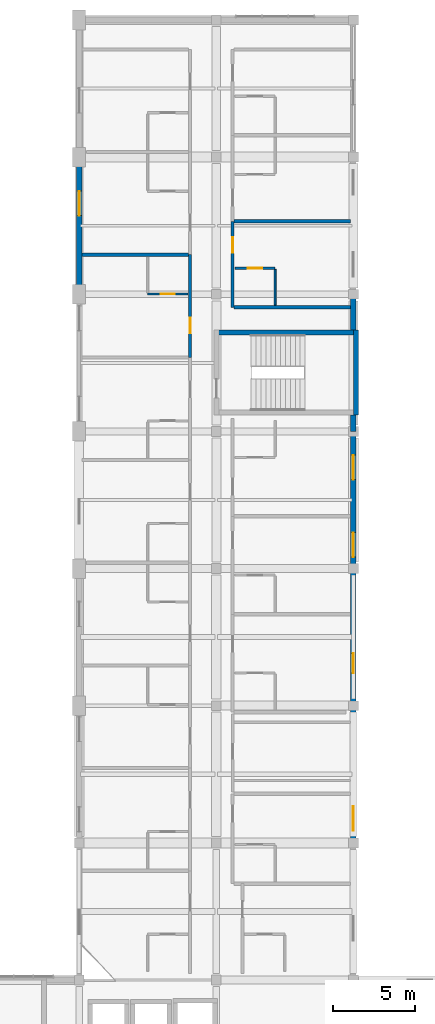
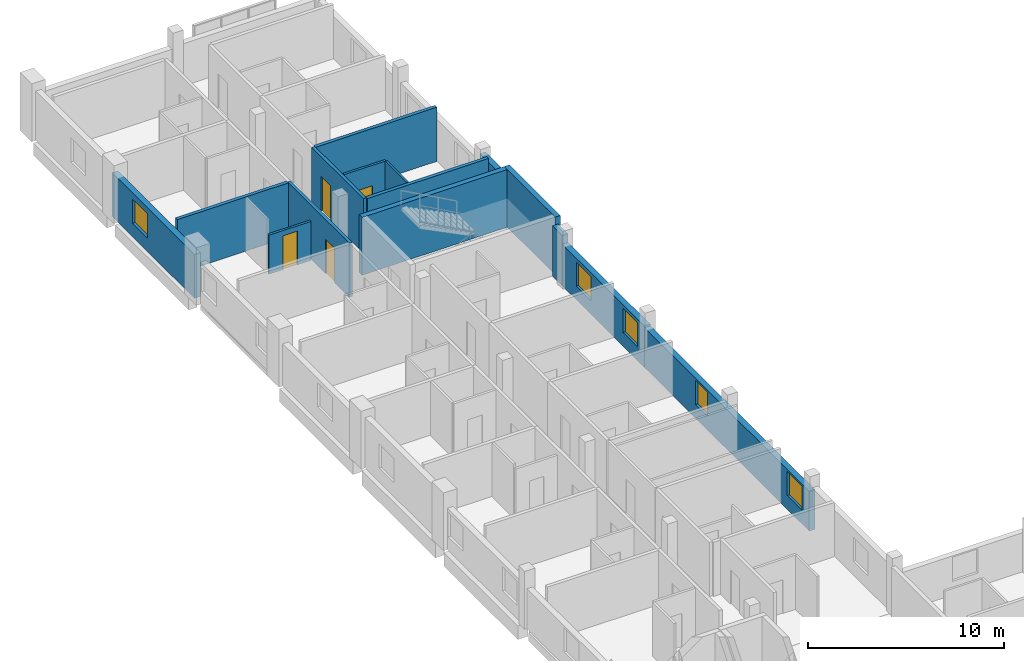
# One storey, part 16 of 25: 15 walls, 5 windows, 4 doors, 9 openings.
"""IFC4 building model written with IfcOpenShell, lengths in metres."""

from ifc_helpers import new_model, si_unit, derived_unit, direction, frame, frame_2d, origin, place, context, subcontext, project, spatial, rectangle, extrude, material, layer, layer_set, type_object, element, fill, save


model = new_model("IFC4")

# Units and contexts
model_context = context("Model", 3, precision=1e-05, world=origin(), true_north=direction((0.0, 1.0)))
body_context = subcontext(model_context, "Body", "Model", "MODEL_VIEW")
ifc_project = project(units=[si_unit("LENGTHUNIT", "METRE"), si_unit("AREAUNIT", "SQUARE_METRE"), si_unit("VOLUMEUNIT", "CUBIC_METRE"), si_unit("PLANEANGLEUNIT", "RADIAN"), si_unit("MASSUNIT", "GRAM", prefix="KILO"), derived_unit("THERMALTRANSMITTANCEUNIT", [(si_unit("POWERUNIT", "WATT"), 1), (si_unit("LENGTHUNIT", "METRE"), -2), (si_unit("THERMODYNAMICTEMPERATUREUNIT", "KELVIN"), -1)])], contexts=[model_context])

# Site, building, storey
site_placement = place(None, origin())
site = spatial("IfcSite", under=ifc_project, at=site_placement, CompositionType="ELEMENT")
building_placement = place(site_placement, origin())
building = spatial("IfcBuilding", under=site, at=building_placement, Name="Barrovel Congress Hotel", CompositionType="ELEMENT")
storey_placement = place(building_placement, frame((0.0, 0.0, 25.5)))
storey = spatial("IfcBuildingStorey", under=building, at=storey_placement, Name="L06", CompositionType="ELEMENT", Elevation=25.5)

# Wall, openings, windows
ifc_material_1 = material(Name="Fired Clay Brick Masonry", Category="masonry")
ifc_layer_1 = layer(ifc_material_1, 0.340087890625)
ifc_layer_set_1 = layer_set([ifc_layer_1], Name="Fired Clay Brick Masonry")
wall_type_1 = type_object("IfcWallType", Name="EW-BRK340", PredefinedType="STANDARD", material=ifc_layer_set_1)
wall_1_placement = place(storey_placement, frame((50.39990234375, 29.39990234375, 0.0), z_axis=(0.0, 0.0, 1.0), x_axis=(0.0, 1.0, 0.0)))
wall_1 = element("IfcWall", 1, at=wall_1_placement, inside=storey, type_object=wall_type_1, Name="EW:L06:HW-E-1", PredefinedType="STANDARD", context=body_context, shape_type="SweptSolid", body=[
    extrude(rectangle(XDim=16.800048828125, YDim=0.340087890625, at=frame_2d((8.39990234375, 0.0))), origin(), (0.0, 0.0, 1.0), 2.47998046875),
])
opening_1_placement = place(wall_1_placement, frame((0.75, 0.0, 0.85009765625)))
opening_1 = element("IfcOpeningElement", 2, at=opening_1_placement, cuts=wall_1, Name="Opening WN-07", PredefinedType="OPENING", context=body_context, shape_type="SweptSolid", body=[
    extrude(rectangle(XDim=1.5, YDim=1.5, at=frame_2d((0.75, 0.75))), frame((0.0, 0.18017578125, 0.0), z_axis=(0.0, -1.0, 0.0), x_axis=(1.0, 0.0, 0.0)), (0.0, 0.0, 1.0), 0.360107421875),
])
opening_2_placement = place(wall_1_placement, frame((10.39990234375, 0.0, 0.85009765625)))
opening_2 = element("IfcOpeningElement", 3, at=opening_2_placement, cuts=wall_1, Name="Opening WN-06", PredefinedType="OPENING", context=body_context, shape_type="SweptSolid", body=[
    extrude(rectangle(XDim=1.199951171875, YDim=1.5, at=frame_2d((0.60009765625, 0.75))), frame((0.0, 0.18017578125, 0.0), z_axis=(0.0, -1.0, 0.0), x_axis=(1.0, 0.0, 0.0)), (0.0, 0.0, 1.0), 0.360107421875),
])
ifc_material_2 = material(Name="Double Low-E Insulated Glazing", Category="glass")
window_type_1 = type_object("IfcWindowType", Name="WIN-WN-06", PartitioningType="SINGLE_PANEL", PredefinedType="WINDOW", material=ifc_material_2)
window_1_placement = place(opening_2_placement, origin())
window_1 = element("IfcWindow", 4, at=window_1_placement, inside=storey, type_object=window_type_1, Name="WIN:L06:U39", OverallHeight=1.5, OverallWidth=1.199951171875, PartitioningType="SINGLE_PANEL", PredefinedType="WINDOW", context=body_context, shape_type="SweptSolid", body=[
    extrude(rectangle(XDim=1.199951171875, YDim=1.5, at=frame_2d((0.60009765625, 0.75))), frame((0.0, 0.030029296875, 0.0), z_axis=(0.0, -1.0, 0.0), x_axis=(1.0, 0.0, 0.0)), (0.0, 0.0, 1.0), 0.06005859375),
])
fill(opening_2, window_1)
window_type_2 = type_object("IfcWindowType", Name="WIN-WN-07", PartitioningType="SINGLE_PANEL", PredefinedType="WINDOW", material=ifc_material_2)
window_2_placement = place(opening_1_placement, origin())
window_2 = element("IfcWindow", 5, at=window_2_placement, inside=storey, type_object=window_type_2, Name="WIN:L06:U38", OverallHeight=1.5, OverallWidth=1.5, PartitioningType="SINGLE_PANEL", PredefinedType="WINDOW", context=body_context, shape_type="SweptSolid", body=[
    extrude(rectangle(XDim=1.5, YDim=1.5, at=frame_2d((0.75, 0.75))), frame((0.0, 0.030029296875, 0.0), z_axis=(0.0, -1.0, 0.0), x_axis=(1.0, 0.0, 0.0)), (0.0, 0.0, 1.0), 0.06005859375),
])
fill(opening_1, window_2)

wall_2_placement = place(storey_placement, frame((50.39990234375, 46.199951171875, 0.0), z_axis=(0.0, 0.0, 1.0), x_axis=(0.0, 1.0, 0.0)))
wall_2 = element("IfcWall", 6, at=wall_2_placement, inside=storey, type_object=wall_type_1, Name="EW:L06:HW-E-1:P03", PredefinedType="STANDARD", context=body_context, shape_type="SweptSolid", body=[
    extrude(rectangle(XDim=8.400146484375, YDim=0.340087890625, at=frame_2d((4.2001953125, 0.0))), origin(), (0.0, 0.0, 1.0), 2.580078125),
])
opening_3_placement = place(wall_2_placement, frame((0.699951171875, 0.0, 0.85009765625)))
opening_3 = element("IfcOpeningElement", 7, at=opening_3_placement, cuts=wall_2, Name="Opening WN-07", PredefinedType="OPENING", context=body_context, shape_type="SweptSolid", body=[
    extrude(rectangle(XDim=1.5, YDim=1.5, at=frame_2d((0.75, 0.75))), frame((0.0, 0.18017578125, 0.0), z_axis=(0.0, -1.0, 0.0), x_axis=(1.0, 0.0, 0.0)), (0.0, 0.0, 1.0), 0.360107421875),
])
opening_4_placement = place(wall_2_placement, frame((5.449951171875, 0.0, 0.85009765625)))
opening_4 = element("IfcOpeningElement", 8, at=opening_4_placement, cuts=wall_2, Name="Opening WN-07", PredefinedType="OPENING", context=body_context, shape_type="SweptSolid", body=[
    extrude(rectangle(XDim=1.5, YDim=1.5, at=frame_2d((0.75, 0.75))), frame((0.0, 0.18017578125, 0.0), z_axis=(0.0, -1.0, 0.0), x_axis=(1.0, 0.0, 0.0)), (0.0, 0.0, 1.0), 0.360107421875),
])
window_3_placement = place(opening_3_placement, origin())
window_3 = element("IfcWindow", 9, at=window_3_placement, inside=storey, type_object=window_type_2, Name="WIN:L06:U40", OverallHeight=1.5, OverallWidth=1.5, PartitioningType="SINGLE_PANEL", PredefinedType="WINDOW", context=body_context, shape_type="SweptSolid", body=[
    extrude(rectangle(XDim=1.5, YDim=1.5, at=frame_2d((0.75, 0.75))), frame((0.0, 0.030029296875, 0.0), z_axis=(0.0, -1.0, 0.0), x_axis=(1.0, 0.0, 0.0)), (0.0, 0.0, 1.0), 0.06005859375),
])
fill(opening_3, window_3)
window_4_placement = place(opening_4_placement, origin())
window_4 = element("IfcWindow", 10, at=window_4_placement, inside=storey, type_object=window_type_2, Name="WIN:L06:U41", OverallHeight=1.5, OverallWidth=1.5, PartitioningType="SINGLE_PANEL", PredefinedType="WINDOW", context=body_context, shape_type="SweptSolid", body=[
    extrude(rectangle(XDim=1.5, YDim=1.5, at=frame_2d((0.75, 0.75))), frame((0.0, 0.030029296875, 0.0), z_axis=(0.0, -1.0, 0.0), x_axis=(1.0, 0.0, 0.0)), (0.0, 0.0, 1.0), 0.06005859375),
])
fill(opening_4, window_4)

# Walls
wall_3_placement = place(storey_placement, frame((50.39990234375, 54.60009765625, 0.0), z_axis=(0.0, 0.0, 1.0), x_axis=(0.0, 1.0, 0.0)))
element("IfcWall", 11, at=wall_3_placement, inside=storey, type_object=wall_type_1, Name="EW:L06:HW-E-1:P04", PredefinedType="STANDARD", context=body_context, shape_type="SweptSolid", body=[
    extrude(rectangle(XDim=1.0, YDim=0.340087890625, at=frame_2d((0.5, 0.0))), origin(), (0.0, 0.0, 1.0), 3.1259765625),
])
wall_4_placement = place(storey_placement, frame((50.39990234375, 60.800048828125, 0.0), z_axis=(0.0, 0.0, 1.0), x_axis=(0.0, 1.0, 0.0)))
element("IfcWall", 12, at=wall_4_placement, inside=storey, type_object=wall_type_1, Name="EW:L06:HW-E-2:P01", PredefinedType="STANDARD", context=body_context, shape_type="SweptSolid", body=[
    extrude(rectangle(XDim=2.199951171875, YDim=0.340087890625, at=frame_2d((1.10009765625, 0.0))), origin(), (0.0, 0.0, 1.0), 3.1259765625),
])

# Wall, opening, window
wall_5_placement = place(storey_placement, frame((33.60009765625, 71.39990234375, 0.0), z_axis=(0.0, 0.0, 1.0), x_axis=(0.0, -1.0, 0.0)))
wall_5 = element("IfcWall", 13, at=wall_5_placement, inside=storey, type_object=wall_type_1, Name="EW:L06:HW-W:P02", PredefinedType="STANDARD", context=body_context, shape_type="SweptSolid", body=[
    extrude(rectangle(XDim=8.39990234375, YDim=0.340087890625, at=frame_2d((4.199951171875, 0.0))), origin(), (0.0, 0.0, 1.0), 2.72998046875),
])
opening_5_placement = place(wall_5_placement, frame((2.083251953125, 0.0, 0.85009765625)))
opening_5 = element("IfcOpeningElement", 14, at=opening_5_placement, cuts=wall_5, Name="Opening WN-07", PredefinedType="OPENING", context=body_context, shape_type="SweptSolid", body=[
    extrude(rectangle(XDim=1.5, YDim=1.5, at=frame_2d((0.75, 0.75))), frame((0.0, 0.18017578125, 0.0), z_axis=(0.0, -1.0, 0.0), x_axis=(1.0, 0.0, 0.0)), (0.0, 0.0, 1.0), 0.360107421875),
])
window_5_placement = place(opening_5_placement, origin())
window_5 = element("IfcWindow", 15, at=window_5_placement, inside=storey, type_object=window_type_2, Name="WIN:L06:U35", OverallHeight=1.5, OverallWidth=1.5, PartitioningType="SINGLE_PANEL", PredefinedType="WINDOW", context=body_context, shape_type="SweptSolid", body=[
    extrude(rectangle(XDim=1.5, YDim=1.5, at=frame_2d((0.75, 0.75))), frame((0.0, 0.030029296875, 0.0), z_axis=(0.0, -1.0, 0.0), x_axis=(1.0, 0.0, 0.0)), (0.0, 0.0, 1.0), 0.06005859375),
])
fill(opening_5, window_5)

# Wall, opening, door
ifc_material_3 = material(Name="Gypsum Acoustic Stud", Category="gypsum")
ifc_layer_2 = layer(ifc_material_3, 0.179931640625)
ifc_layer_set_2 = layer_set([ifc_layer_2], Name="Gypsum Acoustic Stud")
wall_type_2 = type_object("IfcWallType", Name="PW-ACU-180", PredefinedType="PARTITIONING", material=ifc_layer_set_2)
wall_6_placement = place(storey_placement, frame((40.39990234375, 59.13330078125, 0.0), z_axis=(0.0, 0.0, 1.0), x_axis=(0.0, 1.0, 0.0)))
wall_6 = element("IfcWall", 16, at=wall_6_placement, inside=storey, type_object=wall_type_2, Name="PW:L06:U34:COR", PredefinedType="PARTITIONING", context=body_context, shape_type="SweptSolid", body=[
    extrude(rectangle(XDim=6.288818359375, YDim=0.179931640625, at=frame_2d((3.14453125, 0.0))), origin(), (0.0, 0.0, 1.0), 3.375),
])
opening_6_placement = place(wall_6_placement, frame((1.4794921875, 0.0, 0.0)))
opening_6 = element("IfcOpeningElement", 17, at=opening_6_placement, cuts=wall_6, Name="Opening ID-HTL", PredefinedType="OPENING", context=body_context, shape_type="SweptSolid", body=[
    extrude(rectangle(XDim=0.9599609375, YDim=2.14990234375, at=frame_2d((0.47998046875, 1.074951171875))), frame((0.0, 0.10009765625, 0.0), z_axis=(0.0, -1.0, 0.0), x_axis=(1.0, 0.0, 0.0)), (0.0, 0.0, 1.0), 0.199951171875),
])
ifc_material_4 = material(Name="Solid Oak Acoustic Timber Door", Category="wood")
door_type_1 = type_object("IfcDoorType", Name="IDR-ID-HTL", OperationType="NOTDEFINED", PredefinedType="DOOR", material=ifc_material_4)
door_1_placement = place(opening_6_placement, origin())
door_1 = element("IfcDoor", 18, at=door_1_placement, inside=storey, type_object=door_type_1, Name="DR:L06:U34:ENT", OperationType="SINGLE_SWING_RIGHT", OverallHeight=2.14990234375, OverallWidth=0.9599609375, PredefinedType="DOOR", context=body_context, shape_type="SweptSolid", body=[
    extrude(rectangle(XDim=0.9599609375, YDim=2.14990234375, at=frame_2d((0.47998046875, 1.074951171875))), frame((0.0, 0.02490234375, 0.0), z_axis=(0.0, -1.0, 0.0), x_axis=(1.0, 0.0, 0.0)), (0.0, 0.0, 1.0), 0.050048828125),
])
fill(opening_6, door_1)

wall_7_placement = place(storey_placement, frame((43.0, 62.199951171875, 0.0), z_axis=(0.0, 0.0, 1.0), x_axis=(0.0, 1.0, 0.0)))
wall_7 = element("IfcWall", 19, at=wall_7_placement, inside=storey, type_object=wall_type_2, Name="PW:L06:U42:COR", PredefinedType="PARTITIONING", context=body_context, shape_type="SweptSolid", body=[
    extrude(rectangle(XDim=5.266845703125, YDim=0.179931640625, at=frame_2d((2.63330078125, 0.0))), origin(), (0.0, 0.0, 1.0), 3.375),
])
opening_7_placement = place(wall_7_placement, frame((3.33837890625, 0.0, 0.0)))
opening_7 = element("IfcOpeningElement", 20, at=opening_7_placement, cuts=wall_7, Name="Opening ID-HTL", PredefinedType="OPENING", context=body_context, shape_type="SweptSolid", body=[
    extrude(rectangle(XDim=0.9599609375, YDim=2.14990234375, at=frame_2d((0.47998046875, 1.074951171875))), frame((0.0, 0.10009765625, 0.0), z_axis=(0.0, -1.0, 0.0), x_axis=(1.0, 0.0, 0.0)), (0.0, 0.0, 1.0), 0.199951171875),
])
door_2_placement = place(opening_7_placement, origin())
door_2 = element("IfcDoor", 21, at=door_2_placement, inside=storey, type_object=door_type_1, Name="DR:L06:U42:ENT", OperationType="SINGLE_SWING_RIGHT", OverallHeight=2.14990234375, OverallWidth=0.9599609375, PredefinedType="DOOR", context=body_context, shape_type="SweptSolid", body=[
    extrude(rectangle(XDim=0.9599609375, YDim=2.14990234375, at=frame_2d((0.47998046875, 1.074951171875))), frame((0.0, 0.02490234375, 0.0), z_axis=(0.0, -1.0, 0.0), x_axis=(1.0, 0.0, 0.0)), (0.0, 0.0, 1.0), 0.050048828125),
])
fill(opening_7, door_2)

# Walls
ifc_layer_3 = layer(ifc_material_3, 0.1201171875)
ifc_layer_set_3 = layer_set([ifc_layer_3], Name="Gypsum Acoustic Stud")
wall_type_3 = type_object("IfcWallType", Name="PW-INT-120", PredefinedType="PARTITIONING", material=ifc_layer_set_3)
wall_8_placement = place(storey_placement, frame((45.60009765625, 62.340087890625, 0.0), z_axis=(0.0, 0.0, 1.0), x_axis=(0.0, 1.0, 0.0)))
element("IfcWall", 22, at=wall_8_placement, inside=storey, type_object=wall_type_3, Name="PW:L06:U42:B2", PredefinedType="PARTITIONING", context=body_context, shape_type="SweptSolid", body=[
    extrude(rectangle(XDim=2.18994140625, YDim=0.1201171875, at=frame_2d((1.094970703125, 0.0))), origin(), (0.0, 0.0, 1.0), 3.375),
])
ifc_layer_4 = layer(ifc_material_1, 0.199951171875)
ifc_layer_set_4 = layer_set([ifc_layer_4], Name="Fired Clay Brick Masonry")
wall_type_4 = type_object("IfcWallType", Name="PW-MAS-200", PredefinedType="PARTITIONING", material=ifc_layer_set_4)
wall_9_placement = place(storey_placement, frame((33.77001953125, 65.422119140625, 0.0), z_axis=(0.0, 0.0, 1.0), x_axis=(1.0, 0.0, 0.0)))
element("IfcWall", 23, at=wall_9_placement, inside=storey, type_object=wall_type_4, Name="PW:L06:U34:DEM", PredefinedType="PARTITIONING", context=body_context, shape_type="SweptSolid", body=[
    extrude(rectangle(XDim=6.5400390625, YDim=0.199951171875, at=frame_2d((3.27001953125, 0.0))), origin(), (0.0, 0.0, 1.0), 3.375),
])
for number, where, z_axis, x_axis, name in (
    (24, (43.090087890625, 62.199951171875, 0.0), (0.0, 0.0, 1.0), (1.0, 0.0, 0.0), "PW:L06:U42:DEM0"),
    (25, (43.090087890625, 67.466796875, 0.0), (0.0, 0.0, 1.0), (1.0, 0.0, 0.0), "PW:L06:U42:DEM"),
):
    element("IfcWall", number, at=place(storey_placement, frame(where, z_axis=z_axis, x_axis=x_axis)), inside=storey, type_object=wall_type_4, Name=name, PredefinedType="PARTITIONING", context=body_context, shape_type="SweptSolid", body=[
        extrude(rectangle(XDim=7.139892578125, YDim=0.199951171875, at=frame_2d((3.56982421875, 0.0))), origin(), (0.0, 0.0, 1.0), 3.375),
    ])

# Wall, opening, door
ifc_material_5 = material(Name="Gypsum Moisture Board", Category="gypsum")
ifc_layer_5 = layer(ifc_material_5, 0.139892578125)
ifc_layer_set_5 = layer_set([ifc_layer_5], Name="Gypsum Moisture Board")
wall_type_5 = type_object("IfcWallType", Name="PW-WET-140", PredefinedType="PARTITIONING", material=ifc_layer_set_5)
wall_10_placement = place(storey_placement, frame((37.800048828125, 63.022216796875, 0.0), z_axis=(0.0, 0.0, 1.0), x_axis=(1.0, 0.0, 0.0)))
wall_10 = element("IfcWall", 26, at=wall_10_placement, inside=storey, type_object=wall_type_5, Name="PW:L06:U34:B1", PredefinedType="PARTITIONING", context=body_context, shape_type="SweptSolid", body=[
    extrude(rectangle(XDim=2.4599609375, YDim=0.139892578125, at=frame_2d((1.22998046875, 0.0))), origin(), (0.0, 0.0, 1.0), 2.429931640625),
])
opening_8_placement = place(wall_10_placement, frame((0.800048828125, 0.0, 0.0)))
opening_8 = element("IfcOpeningElement", 27, at=opening_8_placement, cuts=wall_10, Name="Opening ID-ENS", PredefinedType="OPENING", context=body_context, shape_type="SweptSolid", body=[
    extrude(rectangle(XDim=0.860107421875, YDim=2.10009765625, at=frame_2d((0.43017578125, 1.050048828125))), frame((0.0, 0.080078125, 0.0), z_axis=(0.0, -1.0, 0.0), x_axis=(1.0, 0.0, 0.0)), (0.0, 0.0, 1.0), 0.159912109375),
])
ifc_material_6 = material(Name="Lacquered Timber Moisture Door", Category="wood")
door_type_2 = type_object("IfcDoorType", Name="IDR-ID-ENS", OperationType="NOTDEFINED", PredefinedType="DOOR", material=ifc_material_6)
door_3_placement = place(opening_8_placement, origin())
door_3 = element("IfcDoor", 28, at=door_3_placement, inside=storey, type_object=door_type_2, Name="DR:L06:U34:ENS", OperationType="SINGLE_SWING_LEFT", OverallHeight=2.10009765625, OverallWidth=0.860107421875, PredefinedType="DOOR", context=body_context, shape_type="SweptSolid", body=[
    extrude(rectangle(XDim=0.860107421875, YDim=2.10009765625, at=frame_2d((0.43017578125, 1.050048828125))), frame((0.0, 0.02490234375, 0.0), z_axis=(0.0, -1.0, 0.0), x_axis=(1.0, 0.0, 0.0)), (0.0, 0.0, 1.0), 0.050048828125),
])
fill(opening_8, door_3)

wall_11_placement = place(storey_placement, frame((43.139892578125, 64.60009765625, 0.0), z_axis=(0.0, 0.0, 1.0), x_axis=(1.0, 0.0, 0.0)))
wall_11 = element("IfcWall", 29, at=wall_11_placement, inside=storey, type_object=wall_type_5, Name="PW:L06:U42:B1", PredefinedType="PARTITIONING", context=body_context, shape_type="SweptSolid", body=[
    extrude(rectangle(XDim=2.460205078125, YDim=0.139892578125, at=frame_2d((1.22998046875, 0.0))), origin(), (0.0, 0.0, 1.0), 3.375),
])
opening_9_placement = place(wall_11_placement, frame((0.800048828125, 0.0, 0.0)))
opening_9 = element("IfcOpeningElement", 30, at=opening_9_placement, cuts=wall_11, Name="Opening ID-ENS", PredefinedType="OPENING", context=body_context, shape_type="SweptSolid", body=[
    extrude(rectangle(XDim=0.860107421875, YDim=2.10009765625, at=frame_2d((0.43017578125, 1.050048828125))), frame((0.0, 0.080078125, 0.0), z_axis=(0.0, -1.0, 0.0), x_axis=(1.0, 0.0, 0.0)), (0.0, 0.0, 1.0), 0.159912109375),
])
door_4_placement = place(opening_9_placement, origin())
door_4 = element("IfcDoor", 31, at=door_4_placement, inside=storey, type_object=door_type_2, Name="DR:L06:U42:ENS", OperationType="SINGLE_SWING_LEFT", OverallHeight=2.10009765625, OverallWidth=0.860107421875, PredefinedType="DOOR", context=body_context, shape_type="SweptSolid", body=[
    extrude(rectangle(XDim=0.860107421875, YDim=2.10009765625, at=frame_2d((0.43017578125, 1.050048828125))), frame((0.0, 0.02490234375, 0.0), z_axis=(0.0, -1.0, 0.0), x_axis=(1.0, 0.0, 0.0)), (0.0, 0.0, 1.0), 0.050048828125),
])
fill(opening_9, door_4)

# Walls
ifc_material_7 = material(Name="Concrete C40", Category="concrete")
ifc_layer_6 = layer(ifc_material_7, 0.300048828125)
ifc_layer_set_6 = layer_set([ifc_layer_6], Name="Concrete C40")
wall_type_6 = type_object("IfcWallType", Name="SW-C40-300", PredefinedType="SHEAR", material=ifc_layer_set_6)
wall_12_placement = place(storey_placement, frame((50.550048828125, 55.60009765625, 0.0), z_axis=(0.0, 0.0, 1.0), x_axis=(0.0, 1.0, 0.0)))
element("IfcWall", 32, at=wall_12_placement, inside=storey, type_object=wall_type_6, Name="SHW:XS-05:L06:E", PredefinedType="SHEAR", context=body_context, shape_type="SweptSolid", body=[
    extrude(rectangle(XDim=5.199951171875, YDim=0.300048828125, at=frame_2d((2.60009765625, 0.0))), origin(), (0.0, 0.0, 1.0), 3.60009765625),
])
wall_13_placement = place(storey_placement, frame((50.699951171875, 60.64990234375, 0.0), z_axis=(0.0, 0.0, 1.0), x_axis=(-1.0, 0.0, 0.0)))
element("IfcWall", 33, at=wall_13_placement, inside=storey, type_object=wall_type_6, Name="SHW:XS-05:L06:N", PredefinedType="SHEAR", context=body_context, shape_type="SweptSolid", body=[
    extrude(rectangle(XDim=8.83984375, YDim=0.300048828125, at=frame_2d((4.419921875, 0.0))), origin(), (0.0, 0.0, 1.0), 3.60009765625),
])

save(model, "model.ifc")
